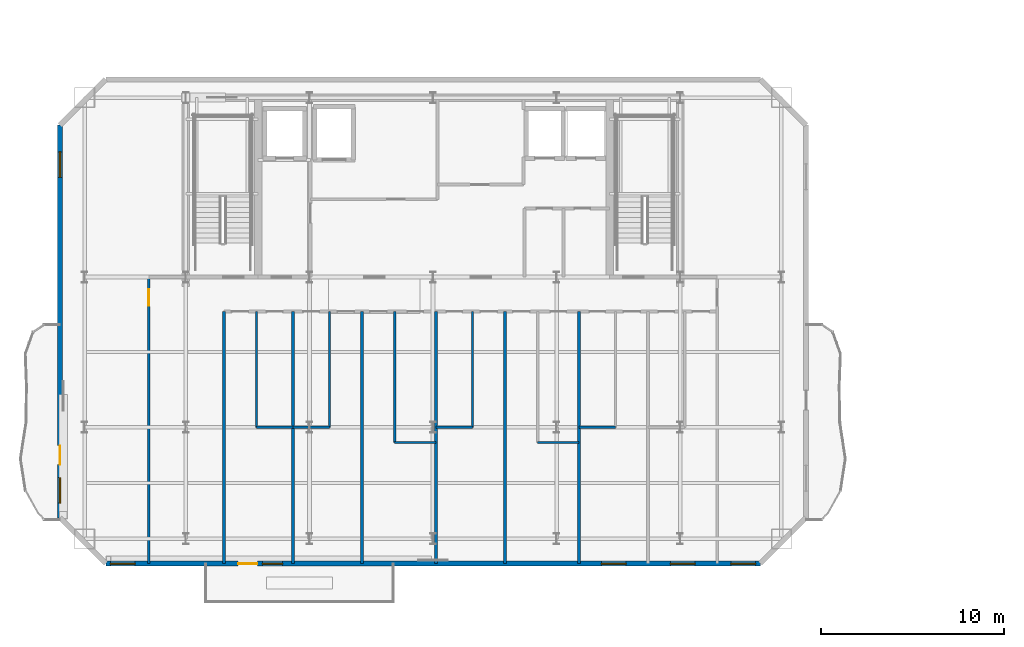
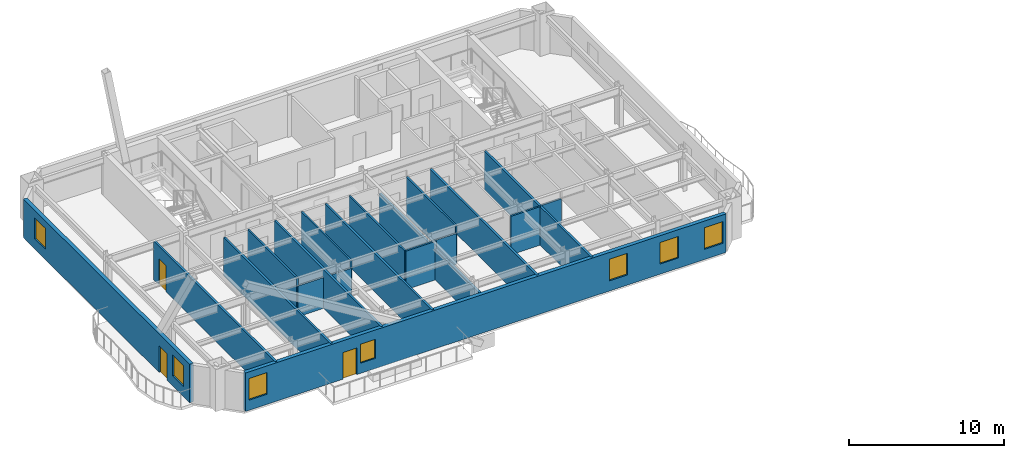
# One storey, part 5 of 14: 19 walls, 7 windows, 3 doors, 10 openings.
"""IFC4 building model written with IfcOpenShell, lengths in metres."""

from ifc_helpers import new_model, si_unit, direction, frame, frame_2d, origin, place, context, subcontext, project, spatial, rectangle, extrude, material, layer, layer_set, type_object, element, fill, save


model = new_model("IFC4")

# Units and contexts
model_context = context("Model", 3, precision=1e-05, world=origin(), true_north=direction((0.0, 1.0)))
body_context = subcontext(model_context, "Body", "Model", "MODEL_VIEW")
ifc_project = project(units=[si_unit("LENGTHUNIT", "METRE"), si_unit("AREAUNIT", "SQUARE_METRE"), si_unit("VOLUMEUNIT", "CUBIC_METRE"), si_unit("PLANEANGLEUNIT", "RADIAN"), si_unit("MASSUNIT", "GRAM", prefix="KILO")], contexts=[model_context])

# Site, building, storey
site_placement = place(None, origin())
site = spatial("IfcSite", under=ifc_project, at=site_placement, CompositionType="ELEMENT")
building_placement = place(site_placement, origin())
building = spatial("IfcBuilding", under=site, at=building_placement, Name="Haevon Station Towers", CompositionType="ELEMENT")
storey_placement = place(building_placement, frame((0.0, 0.0, 208.800048828125)))
storey = spatial("IfcBuildingStorey", under=building, at=storey_placement, Name="L57", CompositionType="ELEMENT", Elevation=208.800048828125)

# Wall, openings, door, windows
ifc_material_1 = material(Name="Precast concrete C45/55", Category="concrete")
ifc_layer_1 = layer(ifc_material_1, 0.280029296875)
ifc_layer_set_1 = layer_set([ifc_layer_1], Name="Precast concrete C45/55")
wall_type_1 = type_object("IfcWallType", Name="WL-EXT-PIER280", PredefinedType="SOLIDWALL", material=ifc_layer_set_1)
wall_1_placement = place(storey_placement, frame((55.375, 22.550048828125, 0.0), z_axis=(0.0, 0.0, 1.0), x_axis=(-1.0, 0.0, 0.0)))
wall_1 = element("IfcWall", 1, at=wall_1_placement, inside=storey, type_object=wall_type_1, Name="WL-T1-L57-S", PredefinedType="SOLIDWALL", context=body_context, shape_type="SweptSolid", body=[
    extrude(rectangle(XDim=35.75, YDim=0.280029296875, at=frame_2d((17.875, 0.0))), origin(), (0.0, 0.0, 1.0), 3.030029296875),
])
opening_1_placement = place(wall_1_placement, frame((27.46435546875, 0.0, 0.0)))
opening_1 = element("IfcOpeningElement", 2, at=opening_1_placement, cuts=wall_1, Name="Opening DR-T1-PBAND-L57-1", PredefinedType="OPENING", context=body_context, shape_type="SweptSolid", body=[
    extrude(rectangle(XDim=1.050048828125, YDim=2.10009765625, at=frame_2d((0.52490234375, 1.050048828125))), frame((0.0, 0.14990234375, 0.0), z_axis=(0.0, -1.0, 0.0), x_axis=(1.0, 0.0, 0.0)), (0.0, 0.0, 1.0), 0.300048828125),
])
opening_2_placement = place(wall_1_placement, frame((34.14990234375, 0.0, 0.800048828125)))
opening_2 = element("IfcOpeningElement", 3, at=opening_2_placement, cuts=wall_1, Name="Opening WN-P135", PredefinedType="OPENING", context=body_context, shape_type="SweptSolid", body=[
    extrude(rectangle(XDim=1.35009765625, YDim=1.699951171875, at=frame_2d((0.675048828125, 0.85009765625))), frame((0.0, 0.14990234375, 0.0), z_axis=(0.0, -1.0, 0.0), x_axis=(1.0, 0.0, 0.0)), (0.0, 0.0, 1.0), 0.300048828125),
])
opening_3_placement = place(wall_1_placement, frame((0.25, 0.0, 0.800048828125)))
opening_3 = element("IfcOpeningElement", 4, at=opening_3_placement, cuts=wall_1, Name="Opening WN-P135", PredefinedType="OPENING", context=body_context, shape_type="SweptSolid", body=[
    extrude(rectangle(XDim=1.35009765625, YDim=1.699951171875, at=frame_2d((0.675048828125, 0.85009765625))), frame((0.0, 0.14990234375, 0.0), z_axis=(0.0, -1.0, 0.0), x_axis=(1.0, 0.0, 0.0)), (0.0, 0.0, 1.0), 0.300048828125),
])
opening_4_placement = place(wall_1_placement, frame((26.093994140625, 0.0, 0.800048828125)))
opening_4 = element("IfcOpeningElement", 5, at=opening_4_placement, cuts=wall_1, Name="Opening WN-COR110", PredefinedType="OPENING", context=body_context, shape_type="SweptSolid", body=[
    extrude(rectangle(XDim=1.10009765625, YDim=1.5, at=frame_2d((0.550048828125, 0.75))), frame((0.0, 0.14990234375, 0.0), z_axis=(0.0, -1.0, 0.0), x_axis=(1.0, 0.0, 0.0)), (0.0, 0.0, 1.0), 0.300048828125),
])
opening_5_placement = place(wall_1_placement, frame((7.33349609375, 0.0, 0.800048828125)))
opening_5 = element("IfcOpeningElement", 6, at=opening_5_placement, cuts=wall_1, Name="Opening WN-P135", PredefinedType="OPENING", context=body_context, shape_type="SweptSolid", body=[
    extrude(rectangle(XDim=1.35009765625, YDim=1.699951171875, at=frame_2d((0.675048828125, 0.85009765625))), frame((0.0, 0.14990234375, 0.0), z_axis=(0.0, -1.0, 0.0), x_axis=(1.0, 0.0, 0.0)), (0.0, 0.0, 1.0), 0.300048828125),
])
opening_6_placement = place(wall_1_placement, frame((3.561279296875, 0.0, 0.800048828125)))
opening_6 = element("IfcOpeningElement", 7, at=opening_6_placement, cuts=wall_1, Name="Opening WN-P135", PredefinedType="OPENING", context=body_context, shape_type="SweptSolid", body=[
    extrude(rectangle(XDim=1.35009765625, YDim=1.699951171875, at=frame_2d((0.675048828125, 0.85009765625))), frame((0.0, 0.14990234375, 0.0), z_axis=(0.0, -1.0, 0.0), x_axis=(1.0, 0.0, 0.0)), (0.0, 0.0, 1.0), 0.300048828125),
])
ifc_material_2 = material(Name="Thermally broken anodised aluminium and laminated safety glass", Category="aluminium")
door_type_1 = type_object("IfcDoorType", Name="DR-BALC-1050", OperationType="NOTDEFINED", PredefinedType="DOOR", material=ifc_material_2)
door_1_placement = place(opening_1_placement, origin())
door_1 = element("IfcDoor", 8, at=door_1_placement, inside=storey, type_object=door_type_1, Name="Tower 1 L57 Balcony Terrace Door", OperationType="SINGLE_SWING_LEFT", OverallHeight=2.10009765625, OverallWidth=1.050048828125, PredefinedType="DOOR", context=body_context, shape_type="SweptSolid", body=[
    extrude(rectangle(XDim=1.050048828125, YDim=2.10009765625, at=frame_2d((0.52490234375, 1.050048828125))), frame((0.0, 0.02490234375, 0.0), z_axis=(0.0, -1.0, 0.0), x_axis=(1.0, 0.0, 0.0)), (0.0, 0.0, 1.0), 0.050048828125),
])
fill(opening_1, door_1)
ifc_material_3 = material(Name="Low-E triple glazing in thermally broken aluminium", Category="aluminium")
window_type_1 = type_object("IfcWindowType", Name="WN-COR110", PartitioningType="SINGLE_PANEL", PredefinedType="WINDOW", material=ifc_material_3)
window_1_placement = place(opening_4_placement, origin())
window_1 = element("IfcWindow", 9, at=window_1_placement, inside=storey, type_object=window_type_1, Name="WN-T1-L57-S03", OverallHeight=1.5, OverallWidth=1.10009765625, PartitioningType="SINGLE_PANEL", PredefinedType="WINDOW", context=body_context, shape_type="SweptSolid", body=[
    extrude(rectangle(XDim=1.10009765625, YDim=1.5, at=frame_2d((0.550048828125, 0.75))), frame((0.0, 0.030029296875, 0.0), z_axis=(0.0, -1.0, 0.0), x_axis=(1.0, 0.0, 0.0)), (0.0, 0.0, 1.0), 0.06005859375),
])
fill(opening_4, window_1)
window_type_2 = type_object("IfcWindowType", Name="WN-P135", PartitioningType="SINGLE_PANEL", PredefinedType="WINDOW", material=ifc_material_3)
window_2_placement = place(opening_2_placement, origin())
window_2 = element("IfcWindow", 10, at=window_2_placement, inside=storey, type_object=window_type_2, Name="WN-T1-L57-S01", OverallHeight=1.699951171875, OverallWidth=1.35009765625, PartitioningType="SINGLE_PANEL", PredefinedType="WINDOW", context=body_context, shape_type="SweptSolid", body=[
    extrude(rectangle(XDim=1.35009765625, YDim=1.699951171875, at=frame_2d((0.675048828125, 0.85009765625))), frame((0.0, 0.030029296875, 0.0), z_axis=(0.0, -1.0, 0.0), x_axis=(1.0, 0.0, 0.0)), (0.0, 0.0, 1.0), 0.06005859375),
])
fill(opening_2, window_2)
window_3_placement = place(opening_3_placement, origin())
window_3 = element("IfcWindow", 11, at=window_3_placement, inside=storey, type_object=window_type_2, Name="WN-T1-L57-S02", OverallHeight=1.699951171875, OverallWidth=1.35009765625, PartitioningType="SINGLE_PANEL", PredefinedType="WINDOW", context=body_context, shape_type="SweptSolid", body=[
    extrude(rectangle(XDim=1.35009765625, YDim=1.699951171875, at=frame_2d((0.675048828125, 0.85009765625))), frame((0.0, 0.030029296875, 0.0), z_axis=(0.0, -1.0, 0.0), x_axis=(1.0, 0.0, 0.0)), (0.0, 0.0, 1.0), 0.06005859375),
])
fill(opening_3, window_3)
window_4_placement = place(opening_5_placement, origin())
window_4 = element("IfcWindow", 12, at=window_4_placement, inside=storey, type_object=window_type_2, Name="WN-T1-L57-S04", OverallHeight=1.699951171875, OverallWidth=1.35009765625, PartitioningType="SINGLE_PANEL", PredefinedType="WINDOW", context=body_context, shape_type="SweptSolid", body=[
    extrude(rectangle(XDim=1.35009765625, YDim=1.699951171875, at=frame_2d((0.675048828125, 0.85009765625))), frame((0.0, 0.030029296875, 0.0), z_axis=(0.0, -1.0, 0.0), x_axis=(1.0, 0.0, 0.0)), (0.0, 0.0, 1.0), 0.06005859375),
])
fill(opening_5, window_4)
window_5_placement = place(opening_6_placement, origin())
window_5 = element("IfcWindow", 13, at=window_5_placement, inside=storey, type_object=window_type_2, Name="WN-T1-L57-S05", OverallHeight=1.699951171875, OverallWidth=1.35009765625, PartitioningType="SINGLE_PANEL", PredefinedType="WINDOW", context=body_context, shape_type="SweptSolid", body=[
    extrude(rectangle(XDim=1.35009765625, YDim=1.699951171875, at=frame_2d((0.675048828125, 0.85009765625))), frame((0.0, 0.030029296875, 0.0), z_axis=(0.0, -1.0, 0.0), x_axis=(1.0, 0.0, 0.0)), (0.0, 0.0, 1.0), 0.06005859375),
])
fill(opening_6, window_5)

wall_2_placement = place(storey_placement, frame((17.125, 25.050048828125, 0.0), z_axis=(0.0, 0.0, 1.0), x_axis=(0.0, 1.0, 0.0)))
wall_2 = element("IfcWall", 14, at=wall_2_placement, inside=storey, type_object=wall_type_1, Name="WL-T1-L57-W", PredefinedType="SOLIDWALL", context=body_context, shape_type="SweptSolid", body=[
    extrude(rectangle(XDim=21.449951171875, YDim=0.280029296875, at=frame_2d((10.72509765625, 0.0))), origin(), (0.0, 0.0, 1.0), 3.030029296875),
])
opening_7_placement = place(wall_2_placement, frame((2.89990234375, 0.0, 0.0)))
opening_7 = element("IfcOpeningElement", 15, at=opening_7_placement, cuts=wall_2, Name="Opening DR-T1-SCAL-L57-W", PredefinedType="OPENING", context=body_context, shape_type="SweptSolid", body=[
    extrude(rectangle(XDim=1.050048828125, YDim=2.10009765625, at=frame_2d((0.52490234375, 1.050048828125))), frame((0.0, 0.14990234375, 0.0), z_axis=(0.0, -1.0, 0.0), x_axis=(1.0, 0.0, 0.0)), (0.0, 0.0, 1.0), 0.300048828125),
])
opening_8_placement = place(wall_2_placement, frame((0.800048828125, 0.0, 0.800048828125)))
opening_8 = element("IfcOpeningElement", 16, at=opening_8_placement, cuts=wall_2, Name="Opening WN-END140", PredefinedType="OPENING", context=body_context, shape_type="SweptSolid", body=[
    extrude(rectangle(XDim=1.39990234375, YDim=1.64990234375, at=frame_2d((0.699951171875, 0.824951171875))), frame((0.0, 0.14990234375, 0.0), z_axis=(0.0, -1.0, 0.0), x_axis=(1.0, 0.0, 0.0)), (0.0, 0.0, 1.0), 0.300048828125),
])
opening_9_placement = place(wall_2_placement, frame((18.591064453125, 0.0, 0.800048828125)))
opening_9 = element("IfcOpeningElement", 17, at=opening_9_placement, cuts=wall_2, Name="Opening WN-END140", PredefinedType="OPENING", context=body_context, shape_type="SweptSolid", body=[
    extrude(rectangle(XDim=1.39990234375, YDim=1.64990234375, at=frame_2d((0.699951171875, 0.824951171875))), frame((0.0, 0.14990234375, 0.0), z_axis=(0.0, -1.0, 0.0), x_axis=(1.0, 0.0, 0.0)), (0.0, 0.0, 1.0), 0.300048828125),
])
door_2_placement = place(opening_7_placement, origin())
door_2 = element("IfcDoor", 18, at=door_2_placement, inside=storey, type_object=door_type_1, Name="Tower 1 L57 West Scalloped Balcony Door", OperationType="SINGLE_SWING_RIGHT", OverallHeight=2.10009765625, OverallWidth=1.050048828125, PredefinedType="DOOR", context=body_context, shape_type="SweptSolid", body=[
    extrude(rectangle(XDim=1.050048828125, YDim=2.10009765625, at=frame_2d((0.52490234375, 1.050048828125))), frame((0.0, 0.02490234375, 0.0), z_axis=(0.0, -1.0, 0.0), x_axis=(1.0, 0.0, 0.0)), (0.0, 0.0, 1.0), 0.050048828125),
])
fill(opening_7, door_2)
window_type_3 = type_object("IfcWindowType", Name="WN-END140", PartitioningType="SINGLE_PANEL", PredefinedType="WINDOW", material=ifc_material_3)
window_6_placement = place(opening_8_placement, origin())
window_6 = element("IfcWindow", 19, at=window_6_placement, inside=storey, type_object=window_type_3, Name="WN-T1-L57-W01", OverallHeight=1.64990234375, OverallWidth=1.39990234375, PartitioningType="SINGLE_PANEL", PredefinedType="WINDOW", context=body_context, shape_type="SweptSolid", body=[
    extrude(rectangle(XDim=1.39990234375, YDim=1.64990234375, at=frame_2d((0.699951171875, 0.824951171875))), frame((0.0, 0.030029296875, 0.0), z_axis=(0.0, -1.0, 0.0), x_axis=(1.0, 0.0, 0.0)), (0.0, 0.0, 1.0), 0.06005859375),
])
fill(opening_8, window_6)
window_7_placement = place(opening_9_placement, origin())
window_7 = element("IfcWindow", 20, at=window_7_placement, inside=storey, type_object=window_type_3, Name="WN-T1-L57-W02", OverallHeight=1.64990234375, OverallWidth=1.39990234375, PartitioningType="SINGLE_PANEL", PredefinedType="WINDOW", context=body_context, shape_type="SweptSolid", body=[
    extrude(rectangle(XDim=1.39990234375, YDim=1.64990234375, at=frame_2d((0.699951171875, 0.824951171875))), frame((0.0, 0.030029296875, 0.0), z_axis=(0.0, -1.0, 0.0), x_axis=(1.0, 0.0, 0.0)), (0.0, 0.0, 1.0), 0.06005859375),
])
fill(opening_9, window_7)

# Walls
ifc_material_4 = material(Name="Gypsum board on steel stud", Category="steel")
ifc_layer_2 = layer(ifc_material_4, 0.125)
ifc_layer_set_2 = layer_set([ifc_layer_2], Name="Gypsum board on steel stud")
wall_type_2 = type_object("IfcWallType", Name="WL-PRT125", PredefinedType="PARTITIONING", material=ifc_layer_set_2)
wall_3_placement = place(storey_placement, frame((27.860107421875, 29.990966796875, 0.0), z_axis=(0.0, 0.0, 1.0), x_axis=(1.0, 0.0, 0.0)))
element("IfcWall", 21, at=wall_3_placement, inside=storey, type_object=wall_type_2, Name="WL-T1PT-L57-06", PredefinedType="PARTITIONING", context=body_context, shape_type="SweptSolid", body=[
    extrude(rectangle(XDim=1.9921875, YDim=0.125, at=frame_2d((0.99609375, 0.0))), origin(), (0.0, 0.0, 1.0), 2.429931640625),
])
wall_4_placement = place(storey_placement, frame((27.860107421875, 29.990966796875, 0.0), z_axis=(0.0, 0.0, 1.0), x_axis=(0.0, 1.0, 0.0)))
element("IfcWall", 22, at=wall_4_placement, inside=storey, type_object=wall_type_2, Name="WL-T1PT-L57-07", PredefinedType="PARTITIONING", context=body_context, shape_type="SweptSolid", body=[
    extrude(rectangle(XDim=6.3291015625, YDim=0.125, at=frame_2d((3.16455078125, 0.0))), origin(), (0.0, 0.0, 1.0), 3.030029296875),
])
wall_5_placement = place(storey_placement, frame((29.852294921875, 29.990966796875, 0.0), z_axis=(0.0, 0.0, 1.0), x_axis=(1.0, 0.0, 0.0)))
element("IfcWall", 23, at=wall_5_placement, inside=storey, type_object=wall_type_2, Name="WL-T1PT-L57-09", PredefinedType="PARTITIONING", context=body_context, shape_type="SweptSolid", body=[
    extrude(rectangle(XDim=1.9921875, YDim=0.125, at=frame_2d((0.99609375, 0.0))), origin(), (0.0, 0.0, 1.0), 2.429931640625),
])
wall_6_placement = place(storey_placement, frame((31.844482421875, 29.990966796875, 0.0), z_axis=(0.0, 0.0, 1.0), x_axis=(0.0, 1.0, 0.0)))
element("IfcWall", 24, at=wall_6_placement, inside=storey, type_object=wall_type_2, Name="WL-T1PT-L57-10", PredefinedType="PARTITIONING", context=body_context, shape_type="SweptSolid", body=[
    extrude(rectangle(XDim=6.3291015625, YDim=0.125, at=frame_2d((3.16455078125, 0.0))), origin(), (0.0, 0.0, 1.0), 3.030029296875),
])
wall_7_placement = place(storey_placement, frame((35.404541015625, 29.1591796875, 0.0), z_axis=(0.0, 0.0, 1.0), x_axis=(1.0, 0.0, 0.0)))
element("IfcWall", 25, at=wall_7_placement, inside=storey, type_object=wall_type_2, Name="WL-T1PT-L57-12", PredefinedType="PARTITIONING", context=body_context, shape_type="SweptSolid", body=[
    extrude(rectangle(XDim=2.26171875, YDim=0.125, at=frame_2d((1.130859375, 0.0))), origin(), (0.0, 0.0, 1.0), 3.030029296875),
])
wall_8_placement = place(storey_placement, frame((35.404541015625, 29.1591796875, 0.0), z_axis=(0.0, 0.0, 1.0), x_axis=(0.0, 1.0, 0.0)))
element("IfcWall", 26, at=wall_8_placement, inside=storey, type_object=wall_type_2, Name="WL-T1PT-L57-13", PredefinedType="PARTITIONING", context=body_context, shape_type="SweptSolid", body=[
    extrude(rectangle(XDim=7.160888671875, YDim=0.125, at=frame_2d((3.58056640625, 0.0))), origin(), (0.0, 0.0, 1.0), 3.030029296875),
])
wall_9_placement = place(storey_placement, frame((37.666259765625, 29.990966796875, 0.0), z_axis=(0.0, 0.0, 1.0), x_axis=(1.0, 0.0, 0.0)))
element("IfcWall", 27, at=wall_9_placement, inside=storey, type_object=wall_type_2, Name="WL-T1PT-L57-15", PredefinedType="PARTITIONING", context=body_context, shape_type="SweptSolid", body=[
    extrude(rectangle(XDim=1.992431640625, YDim=0.125, at=frame_2d((0.99609375, 0.0))), origin(), (0.0, 0.0, 1.0), 2.429931640625),
])
wall_10_placement = place(storey_placement, frame((39.65869140625, 29.990966796875, 0.0), z_axis=(0.0, 0.0, 1.0), x_axis=(0.0, 1.0, 0.0)))
element("IfcWall", 28, at=wall_10_placement, inside=storey, type_object=wall_type_2, Name="WL-T1PT-L57-16", PredefinedType="PARTITIONING", context=body_context, shape_type="SweptSolid", body=[
    extrude(rectangle(XDim=6.3291015625, YDim=0.125, at=frame_2d((3.16455078125, 0.0))), origin(), (0.0, 0.0, 1.0), 3.030029296875),
])
wall_11_placement = place(storey_placement, frame((43.218505859375, 29.158935546875, 0.0), z_axis=(0.0, 0.0, 1.0), x_axis=(1.0, 0.0, 0.0)))
element("IfcWall", 29, at=wall_11_placement, inside=storey, type_object=wall_type_2, Name="WL-T1PT-L57-18", PredefinedType="PARTITIONING", context=body_context, shape_type="SweptSolid", body=[
    extrude(rectangle(XDim=2.261962890625, YDim=0.125, at=frame_2d((1.130859375, 0.0))), origin(), (0.0, 0.0, 1.0), 3.030029296875),
])
wall_12_placement = place(storey_placement, frame((45.48046875, 29.990966796875, 0.0), z_axis=(0.0, 0.0, 1.0), x_axis=(1.0, 0.0, 0.0)))
element("IfcWall", 30, at=wall_12_placement, inside=storey, type_object=wall_type_2, Name="WL-T1PT-L57-21", PredefinedType="PARTITIONING", context=body_context, shape_type="SweptSolid", body=[
    extrude(rectangle(XDim=1.9921875, YDim=0.125, at=frame_2d((0.99609375, 0.0))), origin(), (0.0, 0.0, 1.0), 2.429931640625),
])
ifc_layer_3 = layer(ifc_material_4, 0.159912109375)
ifc_layer_set_3 = layer_set([ifc_layer_3], Name="Gypsum board on steel stud")
wall_type_3 = type_object("IfcWallType", Name="WL-PRT160", PredefinedType="PARTITIONING", material=ifc_layer_set_3)
wall_13_placement = place(storey_placement, frame((26.080078125, 22.550048828125, 0.0), z_axis=(0.0, 0.0, 1.0), x_axis=(0.0, 1.0, 0.0)))
element("IfcWall", 31, at=wall_13_placement, inside=storey, type_object=wall_type_3, Name="WL-T1PT-L57-01", PredefinedType="PARTITIONING", context=body_context, shape_type="SweptSolid", body=[
    extrude(rectangle(XDim=13.77001953125, YDim=0.159912109375, at=frame_2d((6.885009765625, 0.0))), origin(), (0.0, 0.0, 1.0), 3.030029296875),
])

# Wall, opening, door
wall_14_placement = place(storey_placement, frame((21.97509765625, 22.550048828125, 0.0), z_axis=(0.0, 0.0, 1.0), x_axis=(0.0, 1.0, 0.0)))
wall_14 = element("IfcWall", 32, at=wall_14_placement, inside=storey, type_object=wall_type_3, Name="WL-T1PT-L57-04", PredefinedType="PARTITIONING", context=body_context, shape_type="SweptSolid", body=[
    extrude(rectangle(XDim=15.64990234375, YDim=0.159912109375, at=frame_2d((7.824951171875, 0.0))), origin(), (0.0, 0.0, 1.0), 3.030029296875),
])
opening_10_placement = place(wall_14_placement, frame((14.090087890625, 0.0, 0.0)))
opening_10 = element("IfcOpeningElement", 33, at=opening_10_placement, cuts=wall_14, Name="Opening DR-WL-T1PT-L57-04-01", PredefinedType="OPENING", context=body_context, shape_type="SweptSolid", body=[
    extrude(rectangle(XDim=0.89990234375, YDim=2.050048828125, at=frame_2d((0.449951171875, 1.02490234375))), frame((0.0, 0.08984375, 0.0), z_axis=(0.0, -1.0, 0.0), x_axis=(1.0, 0.0, 0.0)), (0.0, 0.0, 1.0), 0.179931640625),
])
ifc_material_5 = material(Name="Engineered oak timber", Category="wood")
door_type_2 = type_object("IfcDoorType", Name="DR-INT-900", OperationType="NOTDEFINED", PredefinedType="DOOR", material=ifc_material_5)
door_3_placement = place(opening_10_placement, origin())
door_3 = element("IfcDoor", 34, at=door_3_placement, inside=storey, type_object=door_type_2, Name="L57 Tower 1 Room Door 4-1", OperationType="SINGLE_SWING_LEFT", OverallHeight=2.050048828125, OverallWidth=0.89990234375, PredefinedType="DOOR", context=body_context, shape_type="SweptSolid", body=[
    extrude(rectangle(XDim=0.89990234375, YDim=2.050048828125, at=frame_2d((0.449951171875, 1.02490234375))), frame((0.0, 0.02490234375, 0.0), z_axis=(0.0, -1.0, 0.0), x_axis=(1.0, 0.0, 0.0)), (0.0, 0.0, 1.0), 0.050048828125),
])
fill(opening_10, door_3)

# Walls
for number, where, z_axis, x_axis, name in (
    (35, (29.852294921875, 22.550048828125, 0.0), (0.0, 0.0, 1.0), (0.0, 1.0, 0.0), "WL-T1PT-L57-08"),
    (36, (33.62451171875, 22.550048828125, 0.0), (0.0, 0.0, 1.0), (0.0, 1.0, 0.0), "WL-T1PT-L57-11"),
):
    element("IfcWall", number, at=place(storey_placement, frame(where, z_axis=z_axis, x_axis=x_axis)), inside=storey, type_object=wall_type_3, Name=name, PredefinedType="PARTITIONING", context=body_context, shape_type="SweptSolid", body=[
        extrude(rectangle(XDim=13.77001953125, YDim=0.159912109375, at=frame_2d((6.885009765625, 0.0))), origin(), (0.0, 0.0, 1.0), 3.030029296875),
    ])
wall_15_placement = place(storey_placement, frame((37.666259765625, 22.550048828125, 0.0), z_axis=(0.0, 0.0, 1.0), x_axis=(0.0, 1.0, 0.0)))
element("IfcWall", 37, at=wall_15_placement, inside=storey, type_object=wall_type_3, Name="WL-T1PT-L57-14", PredefinedType="PARTITIONING", context=body_context, shape_type="SweptSolid", body=[
    extrude(rectangle(XDim=13.77001953125, YDim=0.159912109375, at=frame_2d((6.885009765625, 0.0))), origin(), (0.0, 0.0, 1.0), 2.429931640625),
])
for number, where, z_axis, x_axis, name in (
    (38, (41.438720703125, 22.550048828125, 0.0), (0.0, 0.0, 1.0), (0.0, 1.0, 0.0), "WL-T1PT-L57-17"),
    (39, (45.48046875, 22.550048828125, 0.0), (0.0, 0.0, 1.0), (0.0, 1.0, 0.0), "WL-T1PT-L57-20"),
):
    element("IfcWall", number, at=place(storey_placement, frame(where, z_axis=z_axis, x_axis=x_axis)), inside=storey, type_object=wall_type_3, Name=name, PredefinedType="PARTITIONING", context=body_context, shape_type="SweptSolid", body=[
        extrude(rectangle(XDim=13.77001953125, YDim=0.159912109375, at=frame_2d((6.885009765625, 0.0))), origin(), (0.0, 0.0, 1.0), 3.030029296875),
    ])

save(model, "model.ifc")
